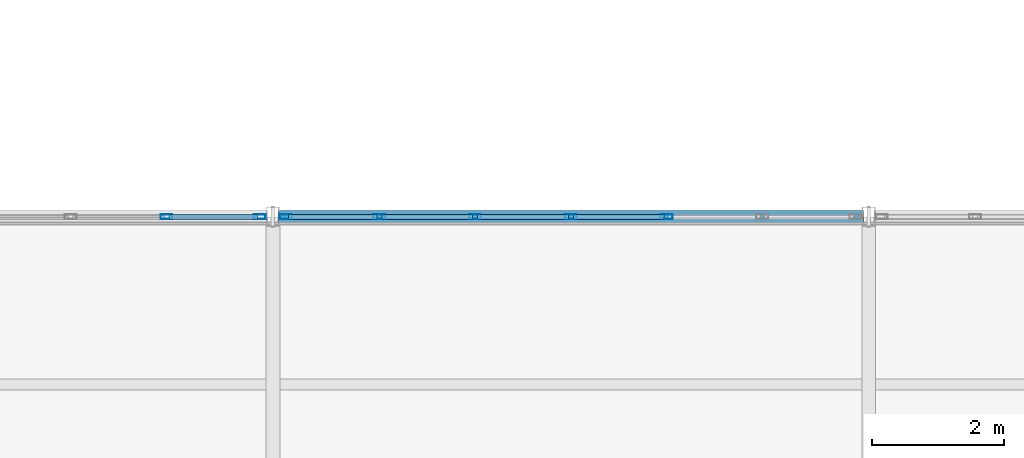
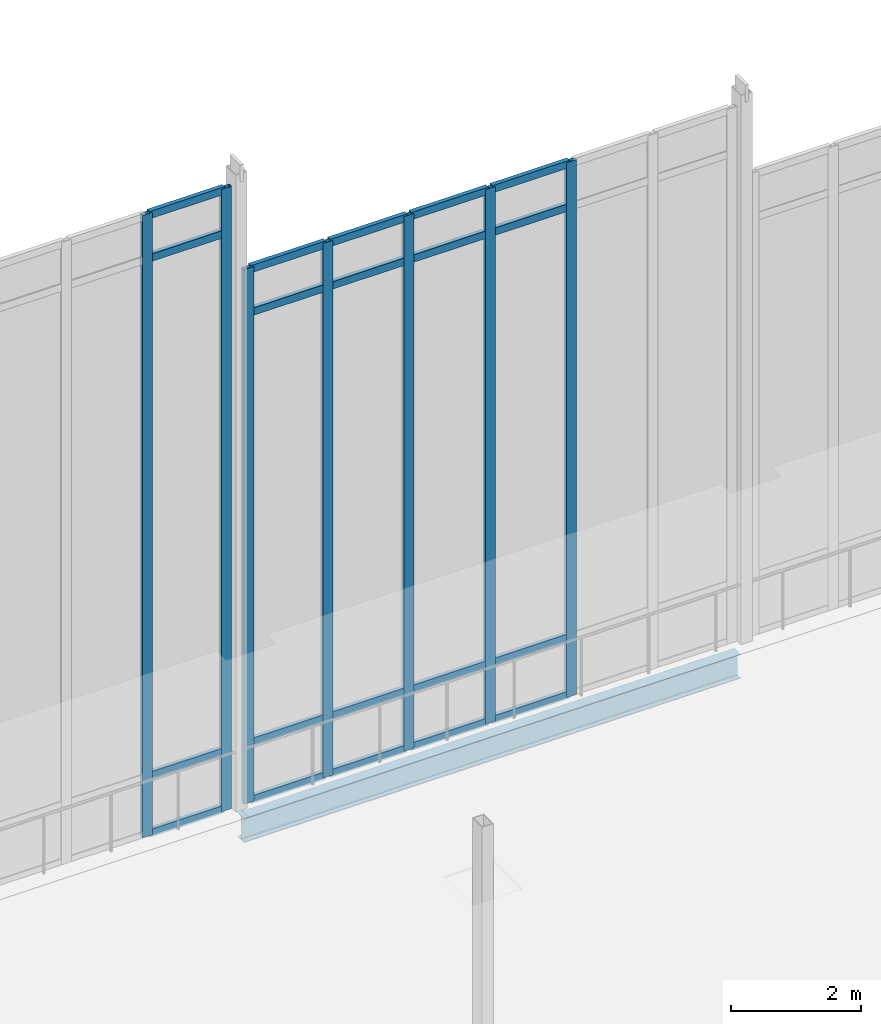
# One storey, part 47 of 166: 27 members, 1 beam, 2 elements without a shape of their own.
"""IFC4 building model written with IfcOpenShell, lengths in metres."""

from ifc_helpers import new_model, si_unit, direction, frame, origin, origin_2d, place, context, subcontext, project, spatial, hollow_rectangle, i_section, extrude, material, material_profile, profile_set, type_object, element, aggregate, save


model = new_model("IFC4")

# Units and contexts
model_context = context("Model", 3, precision=1e-05, world=origin(), true_north=direction((0.0, 1.0)))
body_context = subcontext(model_context, "Body", "Model", "MODEL_VIEW")
ifc_project = project(units=[si_unit("LENGTHUNIT", "METRE"), si_unit("AREAUNIT", "SQUARE_METRE"), si_unit("VOLUMEUNIT", "CUBIC_METRE"), si_unit("PLANEANGLEUNIT", "RADIAN"), si_unit("MASSUNIT", "GRAM", prefix="KILO")], contexts=[model_context])

# Site, building, storey
site_placement = place(None, origin())
site = spatial("IfcSite", under=ifc_project, at=site_placement, CompositionType="ELEMENT")
building_placement = place(site_placement, origin())
building = spatial("IfcBuilding", under=site, at=building_placement, Name="Caisbarro Railhouse Central Library", CompositionType="ELEMENT")
storey_placement = place(building_placement, frame((0.0, 0.0, 9.360107421875)))
storey = spatial("IfcBuildingStorey", under=building, at=storey_placement, Name="L02", CompositionType="ELEMENT", Elevation=9.360107421875)

# Beam
ifc_material_1 = material(Name="Steel ASTM A572 Grade 50", Category="steel")
ifc_material_profile_1 = material_profile(ifc_material_1, i_section(OverallWidth=0.18994140625, OverallDepth=0.45703125, WebThickness=0.009033203125, FlangeThickness=0.014404296875, FilletRadius=0.01806640625, at=origin_2d()), Name="W460X74.0")
ifc_profile_set_1 = profile_set([ifc_material_profile_1], Name="Steel ASTM A572 Grade 50")
beam_type = type_object("IfcBeamType", Name="BM-SP01", PredefinedType="SPANDREL", material=ifc_profile_set_1)
beam_placement = place(storey_placement, frame((18.080078125, 60.800048828125, -0.448486328125), z_axis=(1.0, 0.0, 0.0), x_axis=(0.0, 1.0, 0.0)))
element("IfcBeam", 1, at=beam_placement, inside=storey, type_object=beam_type, Name="SP01 beam L02 #1382", PredefinedType="SPANDREL", context=body_context, shape_type="SweptSolid", body=[
    extrude(i_section(OverallWidth=0.18994140625, OverallDepth=0.45703125, WebThickness=0.009033203125, FlangeThickness=0.014404296875, FilletRadius=0.01806640625, at=origin_2d()), origin(), (0.0, 0.0, 1.0), 8.83984375),
])

# Curtain wall, members
ifc_material_2 = material(Name="Anodised architectural aluminium", Category="aluminium")
curtain_wall_type = type_object("IfcCurtainWallType", Name="CW-CW05", PredefinedType="NOTDEFINED", material=ifc_material_2)
curtain_wall_1_placement = place(storey_placement, origin())
curtain_wall_1 = element("IfcCurtainWall", 2, at=curtain_wall_1_placement, inside=storey, type_object=curtain_wall_type, Name="CW05 curtain wall L02 #5", PredefinedType="NOTDEFINED")
ifc_material_profile_2 = material_profile(ifc_material_2, hollow_rectangle(XDim=0.074951171875, YDim=0.179931640625, WallThickness=0.00439453125, at=origin_2d()), Name="ALU-MUL-75X180")
ifc_profile_set_2 = profile_set([ifc_material_profile_2], Name="Anodised architectural aluminium")
member_type_1 = type_object("IfcMemberType", Name="CWM-M01", PredefinedType="MULLION", material=ifc_profile_set_2)
member_1_placement = place(storey_placement, frame((16.393310546875, 60.800048828125, 0.0), z_axis=(0.0, 0.0, 1.0), x_axis=(0.0, 1.0, 0.0)))
member_1 = element("IfcMember", 3, at=member_1_placement, type_object=member_type_1, Name="CW05 mullion 6", PredefinedType="MULLION", context=body_context, shape_type="SweptSolid", body=[
    extrude(hollow_rectangle(XDim=0.074951171875, YDim=0.179931640625, WallThickness=0.00439453125, at=origin_2d()), origin(), (0.0, 0.0, 1.0), 11.719970703125),
])
member_2_placement = place(storey_placement, frame((17.802490234375, 60.800048828125, 0.0), z_axis=(0.0, 0.0, 1.0), x_axis=(0.0, 1.0, 0.0)))
member_2 = element("IfcMember", 4, at=member_2_placement, type_object=member_type_1, Name="CW05 mullion 7", PredefinedType="MULLION", context=body_context, shape_type="SweptSolid", body=[
    extrude(hollow_rectangle(XDim=0.074951171875, YDim=0.179931640625, WallThickness=0.00439453125, at=origin_2d()), origin(), (0.0, 0.0, 1.0), 11.719970703125),
])

curtain_wall_2_placement = place(storey_placement, origin())
curtain_wall_2 = element("IfcCurtainWall", 5, at=curtain_wall_2_placement, inside=storey, type_object=curtain_wall_type, Name="CW05 curtain wall L02 #8", PredefinedType="NOTDEFINED")
member_3_placement = place(storey_placement, frame((18.197509765625, 60.800048828125, 0.0), z_axis=(0.0, 0.0, 1.0), x_axis=(0.0, 1.0, 0.0)))
member_3 = element("IfcMember", 6, at=member_3_placement, type_object=member_type_1, Name="CW05 mullion 1", PredefinedType="MULLION", context=body_context, shape_type="SweptSolid", body=[
    extrude(hollow_rectangle(XDim=0.074951171875, YDim=0.179931640625, WallThickness=0.00439453125, at=origin_2d()), origin(), (0.0, 0.0, 1.0), 10.06982421875),
])
member_4_placement = place(storey_placement, frame((19.606689453125, 60.800048828125, 0.0), z_axis=(0.0, 0.0, 1.0), x_axis=(0.0, 1.0, 0.0)))
member_4 = element("IfcMember", 7, at=member_4_placement, type_object=member_type_1, Name="CW05 mullion 2", PredefinedType="MULLION", context=body_context, shape_type="SweptSolid", body=[
    extrude(hollow_rectangle(XDim=0.074951171875, YDim=0.179931640625, WallThickness=0.00439453125, at=origin_2d()), origin(), (0.0, 0.0, 1.0), 10.06982421875),
])
member_5_placement = place(storey_placement, frame((21.05322265625, 60.800048828125, 0.0), z_axis=(0.0, 0.0, 1.0), x_axis=(0.0, 1.0, 0.0)))
member_5 = element("IfcMember", 8, at=member_5_placement, type_object=member_type_1, Name="CW05 mullion 3", PredefinedType="MULLION", context=body_context, shape_type="SweptSolid", body=[
    extrude(hollow_rectangle(XDim=0.074951171875, YDim=0.179931640625, WallThickness=0.00439453125, at=origin_2d()), origin(), (0.0, 0.0, 1.0), 10.06982421875),
])
member_6_placement = place(storey_placement, frame((22.5, 60.800048828125, 0.0), z_axis=(0.0, 0.0, 1.0), x_axis=(0.0, 1.0, 0.0)))
member_6 = element("IfcMember", 9, at=member_6_placement, type_object=member_type_1, Name="CW05 mullion 4", PredefinedType="MULLION", context=body_context, shape_type="SweptSolid", body=[
    extrude(hollow_rectangle(XDim=0.074951171875, YDim=0.179931640625, WallThickness=0.00439453125, at=origin_2d()), origin(), (0.0, 0.0, 1.0), 10.06982421875),
])
member_7_placement = place(storey_placement, frame((23.94677734375, 60.800048828125, 0.0), z_axis=(0.0, 0.0, 1.0), x_axis=(0.0, 1.0, 0.0)))
member_7 = element("IfcMember", 10, at=member_7_placement, type_object=member_type_1, Name="CW05 mullion 5", PredefinedType="MULLION", context=body_context, shape_type="SweptSolid", body=[
    extrude(hollow_rectangle(XDim=0.074951171875, YDim=0.179931640625, WallThickness=0.00439453125, at=origin_2d()), origin(), (0.0, 0.0, 1.0), 10.06982421875),
])

# Member
ifc_material_profile_3 = material_profile(ifc_material_2, hollow_rectangle(XDim=0.074951171875, YDim=0.139892578125, WallThickness=0.00390625, at=origin_2d()), Name="ALU-TRN-75X140")
ifc_profile_set_3 = profile_set([ifc_material_profile_3], Name="Anodised architectural aluminium")
member_type_2 = type_object("IfcMemberType", Name="CWT-T01", PredefinedType="USERDEFINED", material=ifc_profile_set_3)
member_8_placement = place(storey_placement, frame((16.430908203125, 60.800048828125, 0.037353515625), z_axis=(1.0, 0.0, 0.0), x_axis=(0.0, 1.0, 0.0)))
member_8 = element("IfcMember", 11, at=member_8_placement, type_object=member_type_2, Name="CW05 transom 6.1", ObjectType="TRANSOM", PredefinedType="USERDEFINED", context=body_context, shape_type="SweptSolid", body=[
    extrude(hollow_rectangle(XDim=0.074951171875, YDim=0.139892578125, WallThickness=0.00390625, at=origin_2d()), origin(), (0.0, 0.0, 1.0), 1.333984375),
])

member_9_placement = place(storey_placement, frame((16.430908203125, 60.800048828125, 1.119873046875), z_axis=(1.0, 0.0, 0.0), x_axis=(0.0, 1.0, 0.0)))
member_9 = element("IfcMember", 12, at=member_9_placement, type_object=member_type_2, Name="CW05 transom 6.2", ObjectType="TRANSOM", PredefinedType="USERDEFINED", context=body_context, shape_type="SweptSolid", body=[
    extrude(hollow_rectangle(XDim=0.074951171875, YDim=0.139892578125, WallThickness=0.00390625, at=origin_2d()), origin(), (0.0, 0.0, 1.0), 1.333984375),
])

member_10_placement = place(storey_placement, frame((16.430908203125, 60.800048828125, 10.869873046875), z_axis=(1.0, 0.0, 0.0), x_axis=(0.0, 1.0, 0.0)))
member_10 = element("IfcMember", 13, at=member_10_placement, type_object=member_type_2, Name="CW05 transom 6.3", ObjectType="TRANSOM", PredefinedType="USERDEFINED", context=body_context, shape_type="SweptSolid", body=[
    extrude(hollow_rectangle(XDim=0.074951171875, YDim=0.139892578125, WallThickness=0.00390625, at=origin_2d()), origin(), (0.0, 0.0, 1.0), 1.333984375),
])

member_11_placement = place(storey_placement, frame((16.430908203125, 60.800048828125, 11.682373046875), z_axis=(1.0, 0.0, 0.0), x_axis=(0.0, 1.0, 0.0)))
member_11 = element("IfcMember", 14, at=member_11_placement, type_object=member_type_2, Name="CW05 transom 6.4", ObjectType="TRANSOM", PredefinedType="USERDEFINED", context=body_context, shape_type="SweptSolid", body=[
    extrude(hollow_rectangle(XDim=0.074951171875, YDim=0.139892578125, WallThickness=0.00390625, at=origin_2d()), origin(), (0.0, 0.0, 1.0), 1.333984375),
])

aggregate(curtain_wall_1, [member_1, member_2, member_8, member_9, member_10, member_11])

member_12_placement = place(storey_placement, frame((18.235107421875, 60.800048828125, 0.037353515625), z_axis=(1.0, 0.0, 0.0), x_axis=(0.0, 1.0, 0.0)))
member_12 = element("IfcMember", 15, at=member_12_placement, type_object=member_type_2, Name="CW05 transom 1.1", ObjectType="TRANSOM", PredefinedType="USERDEFINED", context=body_context, shape_type="SweptSolid", body=[
    extrude(hollow_rectangle(XDim=0.074951171875, YDim=0.139892578125, WallThickness=0.00390625, at=origin_2d()), origin(), (0.0, 0.0, 1.0), 1.333984375),
])

member_13_placement = place(storey_placement, frame((18.235107421875, 60.800048828125, 1.119873046875), z_axis=(1.0, 0.0, 0.0), x_axis=(0.0, 1.0, 0.0)))
member_13 = element("IfcMember", 16, at=member_13_placement, type_object=member_type_2, Name="CW05 transom 1.2", ObjectType="TRANSOM", PredefinedType="USERDEFINED", context=body_context, shape_type="SweptSolid", body=[
    extrude(hollow_rectangle(XDim=0.074951171875, YDim=0.139892578125, WallThickness=0.00390625, at=origin_2d()), origin(), (0.0, 0.0, 1.0), 1.333984375),
])

member_14_placement = place(storey_placement, frame((18.235107421875, 60.800048828125, 9.219970703125), z_axis=(1.0, 0.0, 0.0), x_axis=(0.0, 1.0, 0.0)))
member_14 = element("IfcMember", 17, at=member_14_placement, type_object=member_type_2, Name="CW05 transom 1.3", ObjectType="TRANSOM", PredefinedType="USERDEFINED", context=body_context, shape_type="SweptSolid", body=[
    extrude(hollow_rectangle(XDim=0.074951171875, YDim=0.139892578125, WallThickness=0.00390625, at=origin_2d()), origin(), (0.0, 0.0, 1.0), 1.333984375),
])

member_15_placement = place(storey_placement, frame((18.235107421875, 60.800048828125, 10.032470703125), z_axis=(1.0, 0.0, 0.0), x_axis=(0.0, 1.0, 0.0)))
member_15 = element("IfcMember", 18, at=member_15_placement, type_object=member_type_2, Name="CW05 transom 1.4", ObjectType="TRANSOM", PredefinedType="USERDEFINED", context=body_context, shape_type="SweptSolid", body=[
    extrude(hollow_rectangle(XDim=0.074951171875, YDim=0.139892578125, WallThickness=0.00390625, at=origin_2d()), origin(), (0.0, 0.0, 1.0), 1.333984375),
])

member_16_placement = place(storey_placement, frame((19.644287109375, 60.800048828125, 0.037353515625), z_axis=(1.0, 0.0, 0.0), x_axis=(0.0, 1.0, 0.0)))
member_16 = element("IfcMember", 19, at=member_16_placement, type_object=member_type_2, Name="CW05 transom 2.1", ObjectType="TRANSOM", PredefinedType="USERDEFINED", context=body_context, shape_type="SweptSolid", body=[
    extrude(hollow_rectangle(XDim=0.074951171875, YDim=0.139892578125, WallThickness=0.00390625, at=origin_2d()), origin(), (0.0, 0.0, 1.0), 1.37158203125),
])

member_17_placement = place(storey_placement, frame((19.644287109375, 60.800048828125, 1.119873046875), z_axis=(1.0, 0.0, 0.0), x_axis=(0.0, 1.0, 0.0)))
member_17 = element("IfcMember", 20, at=member_17_placement, type_object=member_type_2, Name="CW05 transom 2.2", ObjectType="TRANSOM", PredefinedType="USERDEFINED", context=body_context, shape_type="SweptSolid", body=[
    extrude(hollow_rectangle(XDim=0.074951171875, YDim=0.139892578125, WallThickness=0.00390625, at=origin_2d()), origin(), (0.0, 0.0, 1.0), 1.37158203125),
])

member_18_placement = place(storey_placement, frame((19.644287109375, 60.800048828125, 9.219970703125), z_axis=(1.0, 0.0, 0.0), x_axis=(0.0, 1.0, 0.0)))
member_18 = element("IfcMember", 21, at=member_18_placement, type_object=member_type_2, Name="CW05 transom 2.3", ObjectType="TRANSOM", PredefinedType="USERDEFINED", context=body_context, shape_type="SweptSolid", body=[
    extrude(hollow_rectangle(XDim=0.074951171875, YDim=0.139892578125, WallThickness=0.00390625, at=origin_2d()), origin(), (0.0, 0.0, 1.0), 1.37158203125),
])

member_19_placement = place(storey_placement, frame((19.644287109375, 60.800048828125, 10.032470703125), z_axis=(1.0, 0.0, 0.0), x_axis=(0.0, 1.0, 0.0)))
member_19 = element("IfcMember", 22, at=member_19_placement, type_object=member_type_2, Name="CW05 transom 2.4", ObjectType="TRANSOM", PredefinedType="USERDEFINED", context=body_context, shape_type="SweptSolid", body=[
    extrude(hollow_rectangle(XDim=0.074951171875, YDim=0.139892578125, WallThickness=0.00390625, at=origin_2d()), origin(), (0.0, 0.0, 1.0), 1.37158203125),
])

member_20_placement = place(storey_placement, frame((21.0908203125, 60.800048828125, 0.037353515625), z_axis=(1.0, 0.0, 0.0), x_axis=(0.0, 1.0, 0.0)))
member_20 = element("IfcMember", 23, at=member_20_placement, type_object=member_type_2, Name="CW05 transom 3.1", ObjectType="TRANSOM", PredefinedType="USERDEFINED", context=body_context, shape_type="SweptSolid", body=[
    extrude(hollow_rectangle(XDim=0.074951171875, YDim=0.139892578125, WallThickness=0.00390625, at=origin_2d()), origin(), (0.0, 0.0, 1.0), 1.37158203125),
])

member_21_placement = place(storey_placement, frame((21.0908203125, 60.800048828125, 1.119873046875), z_axis=(1.0, 0.0, 0.0), x_axis=(0.0, 1.0, 0.0)))
member_21 = element("IfcMember", 24, at=member_21_placement, type_object=member_type_2, Name="CW05 transom 3.2", ObjectType="TRANSOM", PredefinedType="USERDEFINED", context=body_context, shape_type="SweptSolid", body=[
    extrude(hollow_rectangle(XDim=0.074951171875, YDim=0.139892578125, WallThickness=0.00390625, at=origin_2d()), origin(), (0.0, 0.0, 1.0), 1.37158203125),
])

member_22_placement = place(storey_placement, frame((21.0908203125, 60.800048828125, 9.219970703125), z_axis=(1.0, 0.0, 0.0), x_axis=(0.0, 1.0, 0.0)))
member_22 = element("IfcMember", 25, at=member_22_placement, type_object=member_type_2, Name="CW05 transom 3.3", ObjectType="TRANSOM", PredefinedType="USERDEFINED", context=body_context, shape_type="SweptSolid", body=[
    extrude(hollow_rectangle(XDim=0.074951171875, YDim=0.139892578125, WallThickness=0.00390625, at=origin_2d()), origin(), (0.0, 0.0, 1.0), 1.37158203125),
])

member_23_placement = place(storey_placement, frame((21.0908203125, 60.800048828125, 10.032470703125), z_axis=(1.0, 0.0, 0.0), x_axis=(0.0, 1.0, 0.0)))
member_23 = element("IfcMember", 26, at=member_23_placement, type_object=member_type_2, Name="CW05 transom 3.4", ObjectType="TRANSOM", PredefinedType="USERDEFINED", context=body_context, shape_type="SweptSolid", body=[
    extrude(hollow_rectangle(XDim=0.074951171875, YDim=0.139892578125, WallThickness=0.00390625, at=origin_2d()), origin(), (0.0, 0.0, 1.0), 1.37158203125),
])

member_24_placement = place(storey_placement, frame((22.53759765625, 60.800048828125, 0.037353515625), z_axis=(1.0, 0.0, 0.0), x_axis=(0.0, 1.0, 0.0)))
member_24 = element("IfcMember", 27, at=member_24_placement, type_object=member_type_2, Name="CW05 transom 4.1", ObjectType="TRANSOM", PredefinedType="USERDEFINED", context=body_context, shape_type="SweptSolid", body=[
    extrude(hollow_rectangle(XDim=0.074951171875, YDim=0.139892578125, WallThickness=0.00390625, at=origin_2d()), origin(), (0.0, 0.0, 1.0), 1.37158203125),
])

member_25_placement = place(storey_placement, frame((22.53759765625, 60.800048828125, 1.119873046875), z_axis=(1.0, 0.0, 0.0), x_axis=(0.0, 1.0, 0.0)))
member_25 = element("IfcMember", 28, at=member_25_placement, type_object=member_type_2, Name="CW05 transom 4.2", ObjectType="TRANSOM", PredefinedType="USERDEFINED", context=body_context, shape_type="SweptSolid", body=[
    extrude(hollow_rectangle(XDim=0.074951171875, YDim=0.139892578125, WallThickness=0.00390625, at=origin_2d()), origin(), (0.0, 0.0, 1.0), 1.37158203125),
])

member_26_placement = place(storey_placement, frame((22.53759765625, 60.800048828125, 9.219970703125), z_axis=(1.0, 0.0, 0.0), x_axis=(0.0, 1.0, 0.0)))
member_26 = element("IfcMember", 29, at=member_26_placement, type_object=member_type_2, Name="CW05 transom 4.3", ObjectType="TRANSOM", PredefinedType="USERDEFINED", context=body_context, shape_type="SweptSolid", body=[
    extrude(hollow_rectangle(XDim=0.074951171875, YDim=0.139892578125, WallThickness=0.00390625, at=origin_2d()), origin(), (0.0, 0.0, 1.0), 1.37158203125),
])

member_27_placement = place(storey_placement, frame((22.53759765625, 60.800048828125, 10.032470703125), z_axis=(1.0, 0.0, 0.0), x_axis=(0.0, 1.0, 0.0)))
member_27 = element("IfcMember", 30, at=member_27_placement, type_object=member_type_2, Name="CW05 transom 4.4", ObjectType="TRANSOM", PredefinedType="USERDEFINED", context=body_context, shape_type="SweptSolid", body=[
    extrude(hollow_rectangle(XDim=0.074951171875, YDim=0.139892578125, WallThickness=0.00390625, at=origin_2d()), origin(), (0.0, 0.0, 1.0), 1.37158203125),
])

aggregate(curtain_wall_2, [member_3, member_4, member_5, member_6, member_7, member_12, member_13, member_14, member_15, member_16, member_17, member_18, member_19, member_20, member_21, member_22, member_23, member_24, member_25, member_26, member_27])

save(model, "model.ifc")
